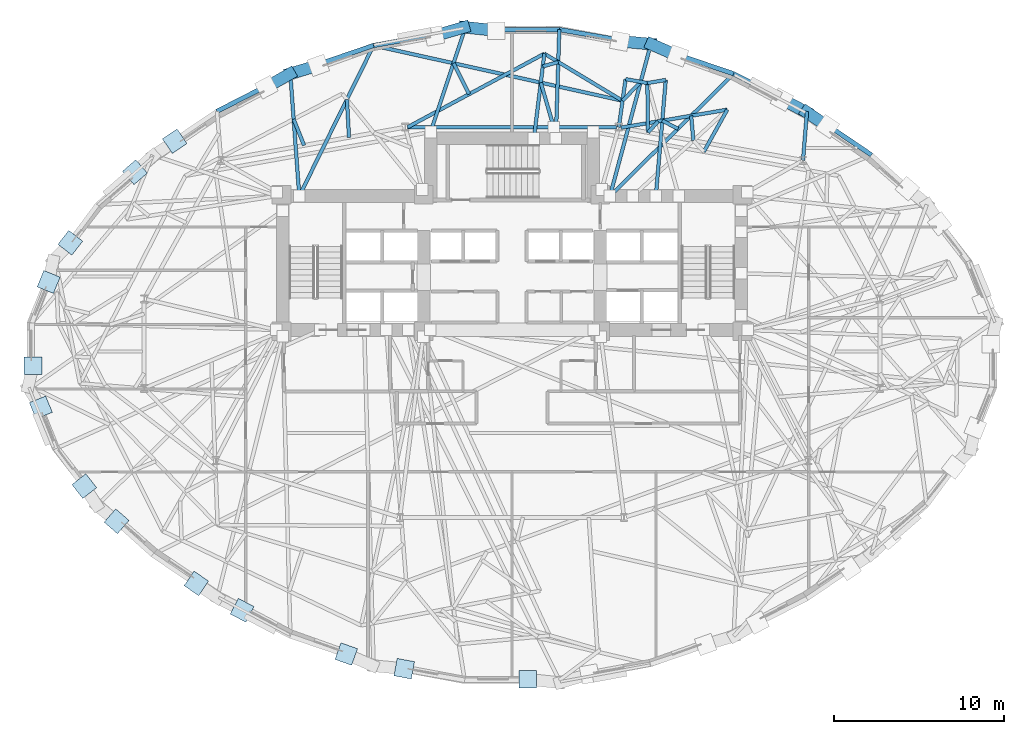
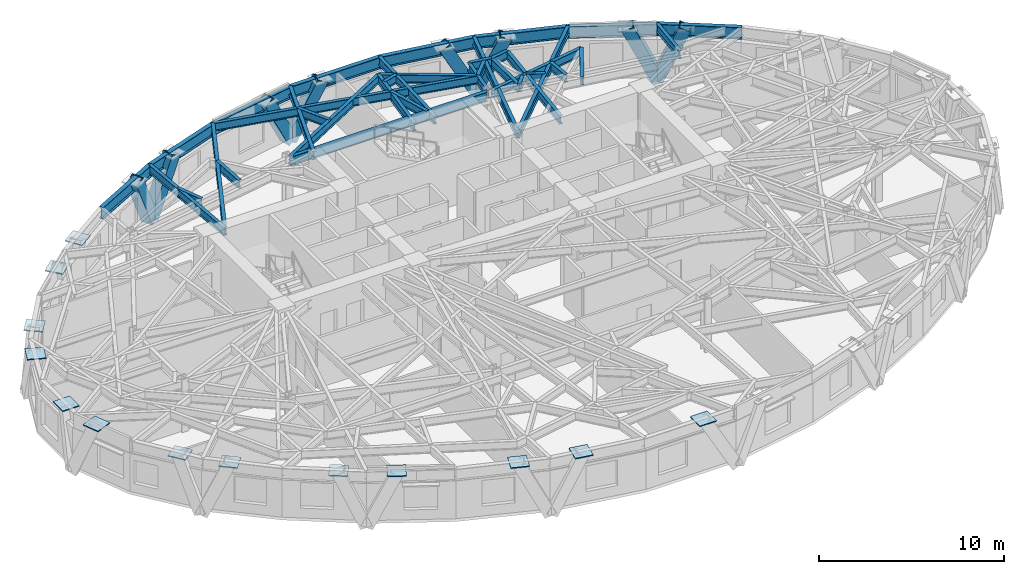
# One storey, part 5 of 15: 36 beams, 13 plates, 8 members.
"""IFC4 building model written with IfcOpenShell, lengths in metres."""

from ifc_helpers import new_model, si_unit, direction, frame, origin, origin_2d, place, context, subcontext, project, spatial, rectangle, hollow_rectangle, i_section, extrude, material, layer, layer_set, material_profile, profile_set, type_object, element, save


model = new_model("IFC4")

# Units and contexts
model_context = context("Model", 3, precision=1e-05, world=origin(), true_north=direction((0.0, 1.0)))
body_context = subcontext(model_context, "Body", "Model", "MODEL_VIEW")
ifc_project = project(units=[si_unit("LENGTHUNIT", "METRE"), si_unit("AREAUNIT", "SQUARE_METRE"), si_unit("VOLUMEUNIT", "CUBIC_METRE"), si_unit("PLANEANGLEUNIT", "RADIAN"), si_unit("MASSUNIT", "GRAM", prefix="KILO")], contexts=[model_context])

# Site, building, storey
site_placement = place(None, origin())
site = spatial("IfcSite", under=ifc_project, at=site_placement, CompositionType="ELEMENT")
building_placement = place(site_placement, origin())
building = spatial("IfcBuilding", under=site, at=building_placement, Name="Keldmark Tower", CompositionType="ELEMENT")
storey_placement = place(building_placement, frame((0.0, 0.0, 93.10009765625)))
storey = spatial("IfcBuildingStorey", under=building, at=storey_placement, Name="L24", CompositionType="ELEMENT", Elevation=93.10009765625)

# Members
ifc_material_1 = material(Name="Steel ASTM A572 Grade 50", Category="steel")
ifc_material_profile_1 = material_profile(ifc_material_1, hollow_rectangle(XDim=0.699951171875, YDim=0.699951171875, WallThickness=0.054931640625, at=origin_2d()), Name="BOX700X700X55")
ifc_profile_set_1 = profile_set([ifc_material_profile_1], Name="Steel ASTM A572 Grade 50")
member_type = type_object("IfcMemberType", Name="Diagrid Zone 1 Brace BOX700X700X55", PredefinedType="BRACE", material=ifc_profile_set_1)
member_1_placement = place(storey_placement, frame((17.358154296875, 14.33740234375, -0.27001953125), z_axis=(0.333735181054, -0.228083567945, 0.914657703712), x_axis=(0.56424310958, 0.825608692597, 0.0)))
element("IfcMember", 1, at=member_1_placement, inside=storey, type_object=member_type, Name="L24 Perimeter Diagrid Brace 02B", PredefinedType="BRACE", context=body_context, shape_type="SweptSolid", body=[
    extrude(hollow_rectangle(XDim=0.699951171875, YDim=0.699951171875, WallThickness=0.054931640625, at=origin_2d()), origin(), (0.0, 0.0, 1.0), 3.78271484375),
])
member_2_placement = place(storey_placement, frame((17.366455078125, 14.3291015625, -0.27001953125), z_axis=(-0.378444027139, 0.191937507602, 0.905505445317), x_axis=(-0.452325802682, -0.891852772731, 0.0)))
element("IfcMember", 2, at=member_2_placement, inside=storey, type_object=member_type, Name="L24 Perimeter Diagrid Brace 03A", PredefinedType="BRACE", context=body_context, shape_type="SweptSolid", body=[
    extrude(hollow_rectangle(XDim=0.699951171875, YDim=0.699951171875, WallThickness=0.054931640625, at=origin_2d()), origin(), (0.0, 0.0, 1.0), 3.821044921875),
])
member_3_placement = place(storey_placement, frame((8.20068359375, 18.33544921875, -0.27001953125), z_axis=(0.407586520269, -0.179183905051, 0.895414069951), x_axis=(0.402448502472, 0.915442626743, 0.0)))
element("IfcMember", 3, at=member_3_placement, inside=storey, type_object=member_type, Name="L24 Perimeter Diagrid Brace 03B", PredefinedType="BRACE", context=body_context, shape_type="SweptSolid", body=[
    extrude(hollow_rectangle(XDim=0.699951171875, YDim=0.699951171875, WallThickness=0.054931640625, at=origin_2d()), origin(), (0.0, 0.0, 1.0), 3.864013671875),
])
member_4_placement = place(storey_placement, frame((8.211669921875, 18.3310546875, -0.27001953125), z_axis=(-0.471880023703, 0.045044505225, 0.880511349035), x_axis=(-0.095025576395, -0.99547483134, 0.0)))
element("IfcMember", 4, at=member_4_placement, inside=storey, type_object=member_type, Name="L24 Perimeter Diagrid Brace 04A", PredefinedType="BRACE", context=body_context, shape_type="SweptSolid", body=[
    extrude(hollow_rectangle(XDim=0.699951171875, YDim=0.699951171875, WallThickness=0.054931640625, at=origin_2d()), origin(), (0.0, 0.0, 1.0), 3.929443359375),
])
member_5_placement = place(storey_placement, frame((-2.82373046875, 19.334228515625, -0.27001953125), z_axis=(0.478454865077, -0.051154773551, 0.876620859453), x_axis=(0.106310711926, 0.994332958586, 0.0)))
element("IfcMember", 5, at=member_5_placement, inside=storey, type_object=member_type, Name="L24 Perimeter Diagrid Brace 04B", PredefinedType="BRACE", context=body_context, shape_type="SweptSolid", body=[
    extrude(hollow_rectangle(XDim=0.699951171875, YDim=0.699951171875, WallThickness=0.054931640625, at=origin_2d()), origin(), (0.0, 0.0, 1.0), 3.947021484375),
])
member_6_placement = place(storey_placement, frame((-2.81201171875, 19.334228515625, -0.27001953125), z_axis=(-0.450197140051, -0.131494458127, 0.883194057143), x_axis=(0.280367353744, -0.959892778885, 0.0)))
element("IfcMember", 6, at=member_6_placement, inside=storey, type_object=member_type, Name="L24 Perimeter Diagrid Brace 05A", PredefinedType="BRACE", context=body_context, shape_type="SweptSolid", body=[
    extrude(hollow_rectangle(XDim=0.699951171875, YDim=0.699951171875, WallThickness=0.054931640625, at=origin_2d()), origin(), (0.0, 0.0, 1.0), 3.91748046875),
])
member_7_placement = place(storey_placement, frame((-13.1044921875, 16.583251953125, -0.27001953125), z_axis=(0.433555425842, 0.128575081288, 0.891907024972), x_axis=(-0.28432050225, 0.958729290259, 0.0)))
element("IfcMember", 7, at=member_7_placement, inside=storey, type_object=member_type, Name="L24 Perimeter Diagrid Brace 05B", PredefinedType="BRACE", context=body_context, shape_type="SweptSolid", body=[
    extrude(hollow_rectangle(XDim=0.699951171875, YDim=0.699951171875, WallThickness=0.054931640625, at=origin_2d()), origin(), (0.0, 0.0, 1.0), 3.87939453125),
])
member_8_placement = place(storey_placement, frame((-13.093505859375, 16.587890625, -0.27001953125), z_axis=(-0.365844500042, -0.208331673834, 0.907058826905), x_axis=(0.494844996477, -0.868981259558, 0.0)))
element("IfcMember", 8, at=member_8_placement, inside=storey, type_object=member_type, Name="L24 Perimeter Diagrid Brace 06A", PredefinedType="BRACE", context=body_context, shape_type="SweptSolid", body=[
    extrude(hollow_rectangle(XDim=0.699951171875, YDim=0.699951171875, WallThickness=0.054931640625, at=origin_2d()), origin(), (0.0, 0.0, 1.0), 3.814453125),
])

# Beams
ifc_material_2 = material(Name="Steel ASTM A992 Grade 50", Category="steel")
ifc_material_profile_2 = material_profile(ifc_material_2, i_section(OverallWidth=0.22900390625, OverallDepth=0.612060546875, WebThickness=0.011962890625, FlangeThickness=0.01953125, at=origin_2d()), Name="W24X84")
ifc_profile_set_2 = profile_set([ifc_material_profile_2], Name="Steel ASTM A992 Grade 50")
beam_type_1 = type_object("IfcBeamType", Name="Primary Floor Girder W24X84", PredefinedType="BEAM", material=ifc_profile_set_2)
beam_1_placement = place(storey_placement, frame((6.15869140625, 13.4326171875, 3.00390625), z_axis=(-1.0, 0.0, 0.0), x_axis=(0.0, -1.0, 0.0)))
element("IfcBeam", 9, at=beam_1_placement, inside=storey, type_object=beam_type_1, Name="L24 Floor Ring Girder FG-R03", PredefinedType="BEAM", context=body_context, shape_type="SweptSolid", body=[
    extrude(i_section(OverallWidth=0.22900390625, OverallDepth=0.612060546875, WebThickness=0.011962890625, FlangeThickness=0.01953125, at=origin_2d()), origin(), (0.0, 0.0, 1.0), 12.3173828125),
])
ifc_material_3 = material(Name="Steel ASTM A992 Grade 50", Category="steel")
ifc_material_profile_3 = material_profile(ifc_material_3, i_section(OverallWidth=0.2099609375, OverallDepth=0.537109375, WebThickness=0.010986328125, FlangeThickness=0.017333984375, at=origin_2d()), Name="W21X68")
ifc_profile_set_3 = profile_set([ifc_material_profile_3], Name="Steel ASTM A992 Grade 50")
beam_type_2 = type_object("IfcBeamType", Name="Radial Tie Girder W21X68", PredefinedType="BEAM", material=ifc_profile_set_3)
beam_2_placement = place(storey_placement, frame((17.1669921875, 11.478271484375, 3.04150390625), z_axis=(0.08014968323, 0.996782839077, 0.0), x_axis=(-0.996782839077, 0.08014968323, 0.0)))
element("IfcBeam", 10, at=beam_2_placement, inside=storey, type_object=beam_type_2, Name="L24 Perimeter Column Bracket RT-05", PredefinedType="BEAM", context=body_context, shape_type="SweptSolid", body=[
    extrude(i_section(OverallWidth=0.2099609375, OverallDepth=0.537109375, WebThickness=0.010986328125, FlangeThickness=0.017333984375, at=origin_2d()), origin(), (0.0, 0.0, 1.0), 2.90283203125),
])
beam_3_placement = place(storey_placement, frame((11.313232421875, 11.986572265625, 3.04150390625), z_axis=(0.486861482171, 0.873479191039, 0.0), x_axis=(-0.873479191039, 0.486861482171, 0.0)))
element("IfcBeam", 11, at=beam_3_placement, inside=storey, type_object=beam_type_2, Name="L24 Local Collector Chord RT-06C", PredefinedType="BEAM", context=body_context, shape_type="SweptSolid", body=[
    extrude(i_section(OverallWidth=0.2099609375, OverallDepth=0.537109375, WebThickness=0.010986328125, FlangeThickness=0.017333984375, at=origin_2d()), origin(), (0.0, 0.0, 1.0), 2.83984375),
])
beam_4_placement = place(storey_placement, frame((-9.614501953125, 12.836181640625, 3.04150390625), z_axis=(-0.054521818251, 0.998512579457, 0.0), x_axis=(-0.998512579457, -0.054521818251, 0.0)))
element("IfcBeam", 12, at=beam_4_placement, inside=storey, type_object=beam_type_2, Name="L24 Framing Pin Header PH-020", PredefinedType="BEAM", context=body_context, shape_type="SweptSolid", body=[
    extrude(i_section(OverallWidth=0.2099609375, OverallDepth=0.537109375, WebThickness=0.010986328125, FlangeThickness=0.017333984375, at=origin_2d()), origin(), (0.0, 0.0, 1.0), 2.239013671875),
])
beam_5_placement = place(storey_placement, frame((-12.54638671875, 9.375, 3.04150390625), z_axis=(0.442343034674, 0.896845939766, 0.0), x_axis=(-0.896845939766, 0.442343034674, 0.0)))
element("IfcBeam", 13, at=beam_5_placement, inside=storey, type_object=beam_type_2, Name="L24 Perimeter Radial Tie Girder RT-10", PredefinedType="BEAM", context=body_context, shape_type="SweptSolid", body=[
    extrude(i_section(OverallWidth=0.2099609375, OverallDepth=0.537109375, WebThickness=0.010986328125, FlangeThickness=0.017333984375, at=origin_2d()), origin(), (0.0, 0.0, 1.0), 9.898193359375),
])
beam_6_placement = place(storey_placement, frame((-12.2626953125, 12.360107421875, 3.04150390625), z_axis=(-0.370278371837, 0.928920840195, 0.0), x_axis=(-0.928920840195, -0.370278371837, 0.0)))
element("IfcBeam", 14, at=beam_6_placement, inside=storey, type_object=beam_type_2, Name="L24 Framing Pin Header PH-021", PredefinedType="BEAM", context=body_context, shape_type="SweptSolid", body=[
    extrude(i_section(OverallWidth=0.2099609375, OverallDepth=0.537109375, WebThickness=0.010986328125, FlangeThickness=0.017333984375, at=origin_2d()), origin(), (0.0, 0.0, 1.0), 1.66552734375),
])
beam_7_placement = place(storey_placement, frame((-12.54638671875, 9.375, 3.04150390625), z_axis=(-0.073299328363, 0.997309986143, 0.0), x_axis=(-0.997309986143, -0.073299328363, 0.0)))
element("IfcBeam", 15, at=beam_7_placement, inside=storey, type_object=beam_type_2, Name="L24 Perimeter Radial Tie Girder RT-11", PredefinedType="BEAM", context=body_context, shape_type="SweptSolid", body=[
    extrude(i_section(OverallWidth=0.2099609375, OverallDepth=0.537109375, WebThickness=0.010986328125, FlangeThickness=0.017333984375, at=origin_2d()), origin(), (0.0, 0.0, 1.0), 7.227783203125),
])
beam_8_placement = place(storey_placement, frame((12.69580078125, 14.467041015625, 3.04150390625), z_axis=(-0.985979230648, -0.166868081823, 0.0), x_axis=(0.166868081823, -0.985979230648, 0.0)))
element("IfcBeam", 16, at=beam_8_placement, inside=storey, type_object=beam_type_2, Name="L24 Straddling Support Chord RT-06RB", PredefinedType="BEAM", context=body_context, shape_type="SweptSolid", body=[
    extrude(i_section(OverallWidth=0.2099609375, OverallDepth=0.537109375, WebThickness=0.010986328125, FlangeThickness=0.017333984375, at=origin_2d()), origin(), (0.0, 0.0, 1.0), 6.348388671875),
])
beam_9_placement = place(storey_placement, frame((10.70068359375, 12.64111328125, 3.04150390625), z_axis=(-0.089234591564, 0.996010636323, 0.0), x_axis=(-0.996010636323, -0.089234591564, 0.0)))
element("IfcBeam", 17, at=beam_9_placement, inside=storey, type_object=beam_type_2, Name="L24 Framing Pin Header PH-049", PredefinedType="BEAM", context=body_context, shape_type="SweptSolid", body=[
    extrude(i_section(OverallWidth=0.2099609375, OverallDepth=0.537109375, WebThickness=0.010986328125, FlangeThickness=0.017333984375, at=origin_2d()), origin(), (0.0, 0.0, 1.0), 1.471923828125),
])
beam_10_placement = place(storey_placement, frame((5.778564453125, 9.375, 3.04150390625), z_axis=(0.711449030629, 0.702737701292, 0.0), x_axis=(-0.702737701292, 0.711449030629, 0.0)))
element("IfcBeam", 18, at=beam_10_placement, inside=storey, type_object=beam_type_2, Name="L24 Perimeter Radial Tie Girder RT-06R", PredefinedType="BEAM", context=body_context, shape_type="SweptSolid", body=[
    extrude(i_section(OverallWidth=0.2099609375, OverallDepth=0.537109375, WebThickness=0.010986328125, FlangeThickness=0.017333984375, at=origin_2d()), origin(), (0.0, 0.0, 1.0), 10.25732421875),
])
beam_11_placement = place(storey_placement, frame((8.025390625, 13.1220703125, 3.04150390625), z_axis=(0.669102656662, 0.743169990546, 0.0), x_axis=(-0.743169990546, 0.669102656662, 0.0)))
element("IfcBeam", 19, at=beam_11_placement, inside=storey, type_object=beam_type_2, Name="L24 Framing Pin Header PH-050", PredefinedType="BEAM", context=body_context, shape_type="SweptSolid", body=[
    extrude(i_section(OverallWidth=0.2099609375, OverallDepth=0.537109375, WebThickness=0.010986328125, FlangeThickness=0.017333984375, at=origin_2d()), origin(), (0.0, 0.0, 1.0), 0.880126953125),
])
beam_12_placement = place(storey_placement, frame((7.985107421875, 16.03662109375, 3.04150390625), z_axis=(0.013820090649, -0.999904497987, 0.0), x_axis=(0.999904497987, 0.013820090649, 0.0)))
element("IfcBeam", 20, at=beam_12_placement, inside=storey, type_object=beam_type_2, Name="L24 Crown Step Collector Chord RT-07RP1", PredefinedType="BEAM", context=body_context, shape_type="SweptSolid", body=[
    extrude(i_section(OverallWidth=0.2099609375, OverallDepth=0.537109375, WebThickness=0.010986328125, FlangeThickness=0.017333984375, at=origin_2d()), origin(), (0.0, 0.0, 1.0), 2.914794921875),
])
beam_13_placement = place(storey_placement, frame((9.792236328125, 13.339599609375, 3.04150390625), z_axis=(-0.88850378514, 0.458869288351, 0.0), x_axis=(-0.458869288351, -0.88850378514, 0.0)))
element("IfcBeam", 21, at=beam_13_placement, inside=storey, type_object=beam_type_2, Name="L24 Framing Pin Header PH-051", PredefinedType="BEAM", context=body_context, shape_type="SweptSolid", body=[
    extrude(i_section(OverallWidth=0.2099609375, OverallDepth=0.537109375, WebThickness=0.010986328125, FlangeThickness=0.017333984375, at=origin_2d()), origin(), (0.0, 0.0, 1.0), 1.0439453125),
])
beam_14_placement = place(storey_placement, frame((8.485595703125, 9.375, 3.04150390625), z_axis=(0.085004009458, 0.996380609193, 0.0), x_axis=(-0.996380609193, 0.085004009458, 0.0)))
element("IfcBeam", 22, at=beam_14_placement, inside=storey, type_object=beam_type_2, Name="L24 Crown Step Radial Girder RT-07RN2", PredefinedType="BEAM", context=body_context, shape_type="SweptSolid", body=[
    extrude(i_section(OverallWidth=0.2099609375, OverallDepth=0.537109375, WebThickness=0.010986328125, FlangeThickness=0.017333984375, at=origin_2d()), origin(), (0.0, 0.0, 1.0), 6.8701171875),
])
beam_15_placement = place(storey_placement, frame((9.069580078125, 16.22021484375, 3.04150390625), z_axis=(-0.985970771091, -0.166918059401, 0.0), x_axis=(0.166918059401, -0.985970771091, 0.0)))
element("IfcBeam", 23, at=beam_15_placement, inside=storey, type_object=beam_type_2, Name="L24 Crown Step Collector Chord RT-07RP2", PredefinedType="BEAM", context=body_context, shape_type="SweptSolid", body=[
    extrude(i_section(OverallWidth=0.2099609375, OverallDepth=0.537109375, WebThickness=0.010986328125, FlangeThickness=0.017333984375, at=origin_2d()), origin(), (0.0, 0.0, 1.0), 1.099853515625),
])
beam_16_placement = place(storey_placement, frame((6.298828125, 13.4326171875, 3.04150390625), z_axis=(0.140717731859, 0.990049756295, 0.0), x_axis=(-0.990049756295, 0.140717731859, 0.0)))
element("IfcBeam", 24, at=beam_16_placement, inside=storey, type_object=beam_type_2, Name="L24 Column Step Bracket RT-07RS", PredefinedType="BEAM", context=body_context, shape_type="SweptSolid", body=[
    extrude(i_section(OverallWidth=0.2099609375, OverallDepth=0.537109375, WebThickness=0.010986328125, FlangeThickness=0.017333984375, at=origin_2d()), origin(), (0.0, 0.0, 1.0), 2.8662109375),
])
beam_17_placement = place(storey_placement, frame((6.7021484375, 16.270263671875, 3.04150390625), z_axis=(0.983818947543, -0.179165505766, 0.0), x_axis=(0.179165505766, 0.983818947543, 0.0)))
element("IfcBeam", 25, at=beam_17_placement, inside=storey, type_object=beam_type_2, Name="L24 Column Step Chord RT-07RK", PredefinedType="BEAM", context=body_context, shape_type="SweptSolid", body=[
    extrude(i_section(OverallWidth=0.2099609375, OverallDepth=0.537109375, WebThickness=0.010986328125, FlangeThickness=0.017333984375, at=origin_2d()), origin(), (0.0, 0.0, 1.0), 1.303955078125),
])
beam_18_placement = place(storey_placement, frame((6.5205078125, 14.9931640625, 3.04150390625), z_axis=(0.692426612481, 0.721488313369, 0.0), x_axis=(-0.721488313369, 0.692426612481, 0.0)))
element("IfcBeam", 26, at=beam_18_placement, inside=storey, type_object=beam_type_2, Name="L24 Framing Pin Header PH-052", PredefinedType="BEAM", context=body_context, shape_type="SweptSolid", body=[
    extrude(i_section(OverallWidth=0.2099609375, OverallDepth=0.537109375, WebThickness=0.010986328125, FlangeThickness=0.017333984375, at=origin_2d()), origin(), (0.0, 0.0, 1.0), 1.545654296875),
])
beam_19_placement = place(storey_placement, frame((5.778564453125, 9.375, 3.04150390625), z_axis=(0.259911568057, 0.965632423228, 0.0), x_axis=(-0.965632423228, 0.259911568057, 0.0)))
element("IfcBeam", 27, at=beam_19_placement, inside=storey, type_object=beam_type_2, Name="L24 Perimeter Radial Tie Girder RT-07R", PredefinedType="BEAM", context=body_context, shape_type="SweptSolid", body=[
    extrude(i_section(OverallWidth=0.2099609375, OverallDepth=0.537109375, WebThickness=0.010986328125, FlangeThickness=0.017333984375, at=origin_2d()), origin(), (0.0, 0.0, 1.0), 9.193115234375),
])
beam_20_placement = place(storey_placement, frame((6.5205078125, 14.9931640625, 3.04150390625), z_axis=(-0.976258404443, 0.216609158981, 0.0), x_axis=(-0.216609158981, -0.976258404443, 0.0)))
element("IfcBeam", 28, at=beam_20_placement, inside=storey, type_object=beam_type_2, Name="L24 Straddling Support Chord RT-08RB", PredefinedType="BEAM", context=body_context, shape_type="SweptSolid", body=[
    extrude(i_section(OverallWidth=0.2099609375, OverallDepth=0.537109375, WebThickness=0.010986328125, FlangeThickness=0.017333984375, at=origin_2d()), origin(), (0.0, 0.0, 1.0), 15.045654296875),
])
beam_21_placement = place(storey_placement, frame((2.46337890625, 13.4326171875, 3.04150390625), z_axis=(-0.278979898592, 0.96029694167, 0.0), x_axis=(-0.96029694167, -0.278979898592, 0.0)))
element("IfcBeam", 29, at=beam_21_placement, inside=storey, type_object=beam_type_2, Name="L24 Framing Pin Header PH-053", PredefinedType="BEAM", context=body_context, shape_type="SweptSolid", body=[
    extrude(i_section(OverallWidth=0.2099609375, OverallDepth=0.537109375, WebThickness=0.010986328125, FlangeThickness=0.017333984375, at=origin_2d()), origin(), (0.0, 0.0, 1.0), 2.739013671875),
])
beam_22_placement = place(storey_placement, frame((1.293701171875, 12.77490234375, 3.04150390625), z_axis=(0.122362551457, 0.992485468912, 0.0), x_axis=(-0.992485468912, 0.122362551457, 0.0)))
element("IfcBeam", 30, at=beam_22_placement, inside=storey, type_object=beam_type_2, Name="L24 Crown Step Radial Girder RT-08RN1", PredefinedType="BEAM", context=body_context, shape_type="SweptSolid", body=[
    extrude(i_section(OverallWidth=0.2099609375, OverallDepth=0.537109375, WebThickness=0.010986328125, FlangeThickness=0.017333984375, at=origin_2d()), origin(), (0.0, 0.0, 1.0), 5.031982421875),
])
beam_23_placement = place(storey_placement, frame((1.909423828125, 17.76904296875, 3.04150390625), z_axis=(0.856735535417, -0.51575597171, 0.0), x_axis=(0.51575597171, 0.856735535417, 0.0)))
element("IfcBeam", 31, at=beam_23_placement, inside=storey, type_object=beam_type_2, Name="L24 Crown Step Collector Chord RT-08RP1", PredefinedType="BEAM", context=body_context, shape_type="SweptSolid", body=[
    extrude(i_section(OverallWidth=0.2099609375, OverallDepth=0.537109375, WebThickness=0.010986328125, FlangeThickness=0.017333984375, at=origin_2d()), origin(), (0.0, 0.0, 1.0), 5.382080078125),
])
beam_24_placement = place(storey_placement, frame((1.817138671875, 17.02001953125, 3.04150390625), z_axis=(0.962778970556, 0.270289944051, 0.0), x_axis=(-0.270289944051, 0.962778970556, 0.0)))
element("IfcBeam", 32, at=beam_24_placement, inside=storey, type_object=beam_type_2, Name="L24 Framing Pin Header PH-054", PredefinedType="BEAM", context=body_context, shape_type="SweptSolid", body=[
    extrude(i_section(OverallWidth=0.2099609375, OverallDepth=0.537109375, WebThickness=0.010986328125, FlangeThickness=0.017333984375, at=origin_2d()), origin(), (0.0, 0.0, 1.0), 0.946533203125),
])
beam_25_placement = place(storey_placement, frame((2.58740234375, 12.77490234375, 3.04150390625), z_axis=(0.031333285504, 0.999508992065, 0.0), x_axis=(-0.999508992065, 0.031333285504, 0.0)))
element("IfcBeam", 33, at=beam_25_placement, inside=storey, type_object=beam_type_2, Name="L24 Perimeter Radial Tie Girder RT-08R", PredefinedType="BEAM", context=body_context, shape_type="SweptSolid", body=[
    extrude(i_section(OverallWidth=0.2099609375, OverallDepth=0.537109375, WebThickness=0.010986328125, FlangeThickness=0.017333984375, at=origin_2d()), origin(), (0.0, 0.0, 1.0), 6.42041015625),
])
beam_26_placement = place(storey_placement, frame((1.909423828125, 17.76904296875, 3.04150390625), z_axis=(-0.88083287224, -0.473427345197, 0.0), x_axis=(0.473427345197, -0.88083287224, 0.0)))
element("IfcBeam", 34, at=beam_26_placement, inside=storey, type_object=beam_type_2, Name="L24 Straddling Support Chord RT-09RB", PredefinedType="BEAM", context=body_context, shape_type="SweptSolid", body=[
    extrude(i_section(OverallWidth=0.2099609375, OverallDepth=0.537109375, WebThickness=0.010986328125, FlangeThickness=0.017333984375, at=origin_2d()), origin(), (0.0, 0.0, 1.0), 9.15966796875),
])
beam_27_placement = place(storey_placement, frame((-2.528076171875, 15.384033203125, 3.04150390625), z_axis=(-0.45160945967, 0.892215722758, 0.0), x_axis=(-0.892215722758, -0.45160945967, 0.0)))
element("IfcBeam", 35, at=beam_27_placement, inside=storey, type_object=beam_type_2, Name="L24 Framing Pin Header PH-055", PredefinedType="BEAM", context=body_context, shape_type="SweptSolid", body=[
    extrude(i_section(OverallWidth=0.2099609375, OverallDepth=0.537109375, WebThickness=0.010986328125, FlangeThickness=0.017333984375, at=origin_2d()), origin(), (0.0, 0.0, 1.0), 2.041259765625),
])
beam_28_placement = place(storey_placement, frame((-4.800048828125, 13.14990234375, 3.04150390625), z_axis=(0.315859705666, 0.948805905513, 0.0), x_axis=(-0.948805905513, 0.315859705666, 0.0)))
element("IfcBeam", 36, at=beam_28_placement, inside=storey, type_object=beam_type_2, Name="L24 Perimeter Radial Tie Girder RT-09R", PredefinedType="BEAM", context=body_context, shape_type="SweptSolid", body=[
    extrude(i_section(OverallWidth=0.2099609375, OverallDepth=0.537109375, WebThickness=0.010986328125, FlangeThickness=0.017333984375, at=origin_2d()), origin(), (0.0, 0.0, 1.0), 6.3681640625),
])
ifc_material_4 = material(Name="Steel ASTM A992 Grade 50", Category="steel")
ifc_material_profile_4 = material_profile(ifc_material_4, i_section(OverallWidth=0.26806640625, OverallDepth=0.77001953125, WebThickness=0.015625, FlangeThickness=0.025390625, at=origin_2d()), Name="W30X132")
ifc_profile_set_4 = profile_set([ifc_material_profile_4], Name="Steel ASTM A992 Grade 50")
beam_type_3 = type_object("IfcBeamType", Name="Spandrel Ring Beam W30X132", PredefinedType="SPANDREL", material=ifc_profile_set_4)
beam_29_placement = place(storey_placement, frame((21.20166015625, 11.794677734375, 2.9248046875), z_axis=(-0.827757035065, 0.561086705333, 0.0), x_axis=(-0.561086705333, -0.827757035065, 0.0)))
element("IfcBeam", 37, at=beam_29_placement, inside=storey, type_object=beam_type_3, Name="L24 Perimeter Spandrel Ring Beam SRB-04", PredefinedType="SPANDREL", context=body_context, shape_type="SweptSolid", body=[
    extrude(i_section(OverallWidth=0.26806640625, OverallDepth=0.77001953125, WebThickness=0.015625, FlangeThickness=0.025390625, at=origin_2d()), origin(), (0.0, 0.0, 1.0), 4.593017578125),
])
beam_30_placement = place(storey_placement, frame((17.399658203125, 14.371826171875, 2.9248046875), z_axis=(-0.890297461787, 0.455379434687, 0.0), x_axis=(-0.455379434687, -0.890297461787, 0.0)))
element("IfcBeam", 38, at=beam_30_placement, inside=storey, type_object=beam_type_3, Name="L24 Perimeter Spandrel Ring Beam SRB-05", PredefinedType="SPANDREL", context=body_context, shape_type="SweptSolid", body=[
    extrude(i_section(OverallWidth=0.26806640625, OverallDepth=0.77001953125, WebThickness=0.015625, FlangeThickness=0.025390625, at=origin_2d()), origin(), (0.0, 0.0, 1.0), 4.856201171875),
])
beam_31_placement = place(storey_placement, frame((13.076171875, 16.583251953125, 2.9248046875), z_axis=(-0.946763558794, 0.321929749697, 0.0), x_axis=(-0.321929749697, -0.946763558794, 0.0)))
element("IfcBeam", 39, at=beam_31_placement, inside=storey, type_object=beam_type_3, Name="L24 Perimeter Spandrel Ring Beam SRB-06", PredefinedType="SPANDREL", context=body_context, shape_type="SweptSolid", body=[
    extrude(i_section(OverallWidth=0.26806640625, OverallDepth=0.77001953125, WebThickness=0.015625, FlangeThickness=0.025390625, at=origin_2d()), origin(), (0.0, 0.0, 1.0), 5.18408203125),
])
beam_32_placement = place(storey_placement, frame((8.16796875, 18.252197265625, 2.9248046875), z_axis=(-0.98507560131, 0.172122223157, 0.0), x_axis=(-0.172122223157, -0.98507560131, 0.0)))
element("IfcBeam", 40, at=beam_32_placement, inside=storey, type_object=beam_type_3, Name="L24 Perimeter Spandrel Ring Beam SRB-07", PredefinedType="SPANDREL", context=body_context, shape_type="SweptSolid", body=[
    extrude(i_section(OverallWidth=0.26806640625, OverallDepth=0.77001953125, WebThickness=0.015625, FlangeThickness=0.025390625, at=origin_2d()), origin(), (0.0, 0.0, 1.0), 5.4609375),
])
beam_33_placement = place(storey_placement, frame((2.78857421875, 19.192138671875, 2.9248046875), z_axis=(-1.0, 0.0, 0.0), x_axis=(0.0, -1.0, 0.0)))
element("IfcBeam", 41, at=beam_33_placement, inside=storey, type_object=beam_type_3, Name="L24 Perimeter Spandrel Ring Beam SRB-08", PredefinedType="SPANDREL", context=body_context, shape_type="SweptSolid", body=[
    extrude(i_section(OverallWidth=0.26806640625, OverallDepth=0.77001953125, WebThickness=0.015625, FlangeThickness=0.025390625, at=origin_2d()), origin(), (0.0, 0.0, 1.0), 5.5771484375),
])
beam_34_placement = place(storey_placement, frame((-2.78857421875, 19.192138671875, 2.9248046875), z_axis=(-0.98507560131, -0.172122223157, 0.0), x_axis=(0.172122223157, -0.98507560131, 0.0)))
element("IfcBeam", 42, at=beam_34_placement, inside=storey, type_object=beam_type_3, Name="L24 Perimeter Spandrel Ring Beam SRB-09", PredefinedType="SPANDREL", context=body_context, shape_type="SweptSolid", body=[
    extrude(i_section(OverallWidth=0.26806640625, OverallDepth=0.77001953125, WebThickness=0.015625, FlangeThickness=0.025390625, at=origin_2d()), origin(), (0.0, 0.0, 1.0), 5.4609375),
])
beam_35_placement = place(storey_placement, frame((-8.16796875, 18.252197265625, 2.9248046875), z_axis=(-0.946763558794, -0.321929749697, 0.0), x_axis=(0.321929749697, -0.946763558794, 0.0)))
element("IfcBeam", 43, at=beam_35_placement, inside=storey, type_object=beam_type_3, Name="L24 Perimeter Spandrel Ring Beam SRB-10", PredefinedType="SPANDREL", context=body_context, shape_type="SweptSolid", body=[
    extrude(i_section(OverallWidth=0.26806640625, OverallDepth=0.77001953125, WebThickness=0.015625, FlangeThickness=0.025390625, at=origin_2d()), origin(), (0.0, 0.0, 1.0), 5.18408203125),
])
beam_36_placement = place(storey_placement, frame((-13.076171875, 16.583251953125, 2.9248046875), z_axis=(-0.890297461787, -0.455379434687, 0.0), x_axis=(0.455379434687, -0.890297461787, 0.0)))
element("IfcBeam", 44, at=beam_36_placement, inside=storey, type_object=beam_type_3, Name="L24 Perimeter Spandrel Ring Beam SRB-11", PredefinedType="SPANDREL", context=body_context, shape_type="SweptSolid", body=[
    extrude(i_section(OverallWidth=0.26806640625, OverallDepth=0.77001953125, WebThickness=0.015625, FlangeThickness=0.025390625, at=origin_2d()), origin(), (0.0, 0.0, 1.0), 4.856201171875),
])

# Plates
ifc_material_5 = material(Name="Steel ASTM A572 Grade 50", Category="steel")
ifc_layer = layer(ifc_material_5, 0.06494140625)
ifc_layer_set = layer_set([ifc_layer], Name="Steel ASTM A572 Grade 50")
plate_type = type_object("IfcPlateType", Name="Diagrid Node Assembly DN02 65 mm", PredefinedType="USERDEFINED", material=ifc_layer_set)
for number, where, z_axis, x_axis, name in (
    (45, (-19.896240234375, 12.607421875, 3.157470703125), (0.0, 0.0, 1.0), (-0.827766671236, -0.56107248907, 0.0), "L24 Diagrid Node Assembly 12"),
    (46, (-22.24267578125, 10.779541015625, 3.157470703125), (0.0, 0.0, 1.0), (-0.754938542041, -0.655795545685, 0.0), "L24 Diagrid Node Assembly 13"),
    (47, (-26.052490234375, 6.617431640625, 3.157470703125), (0.0, 0.0, 1.0), (-0.613734165832, -0.789512744476, 0.0), "L24 Diagrid Node Assembly 14"),
    (48, (-27.330810546875, 4.3037109375, 3.157470703125), (0.0, 0.0, 1.0), (-0.374930218808, -0.927053035713, 0.0), "L24 Diagrid Node Assembly 15"),
    (49, (-28.2529296875, -0.635986328125, 3.157470703125), (0.0, 0.0, 1.0), (0.0, -1.0, 0.0), "L24 Diagrid Node Assembly 16"),
    (50, (-27.790771484375, -3.099853515625, 3.157470703125), (0.0, 0.0, 1.0), (0.374930218808, -0.927053035713, 0.0), "L24 Diagrid Node Assembly 17"),
    (51, (-25.227294921875, -7.7373046875, 3.157470703125), (0.0, 0.0, 1.0), (0.613734165832, -0.789512744476, 0.0), "L24 Diagrid Node Assembly 18"),
    (52, (-23.323486328125, -9.8125, 3.157470703125), (0.0, 0.0, 1.0), (0.754938542041, -0.655795545685, 0.0), "L24 Diagrid Node Assembly 19"),
    (53, (-18.62060546875, -13.474609375, 3.157470703125), (0.0, 0.0, 1.0), (0.827766671236, -0.56107248907, 0.0), "L24 Diagrid Node Assembly 20"),
    (54, (-15.92041015625, -15.0625, 3.157470703125), (0.0, 0.0, 1.0), (0.883928914562, -0.467621293358, 0.0), "L24 Diagrid Node Assembly 21"),
    (55, (-9.775634765625, -17.64306640625, 3.157470703125), (0.0, 0.0, 1.0), (0.941705652248, -0.336437905896, 0.0), "L24 Diagrid Node Assembly 22"),
    (56, (-6.357421875, -18.508056640625, 3.157470703125), (0.0, 0.0, 1.0), (0.983159354488, -0.182750331554, 0.0), "L24 Diagrid Node Assembly 23"),
    (57, (0.935302734375, -19.13232421875, 3.157470703125), (0.0, 0.0, 1.0), (1.0, 0.0, 0.0), "L24 Diagrid Node Assembly 24"),
):
    element("IfcPlate", number, at=place(storey_placement, frame(where, z_axis=z_axis, x_axis=x_axis)), inside=storey, type_object=plate_type, Name=name, ObjectType="GUSSET", PredefinedType="USERDEFINED", context=body_context, shape_type="SweptSolid", body=[
        extrude(rectangle(XDim=1.0400390625, YDim=1.0400390625, at=origin_2d()), origin(), (0.0, 0.0, 1.0), 0.06494140625),
    ])

save(model, "model.ifc")
